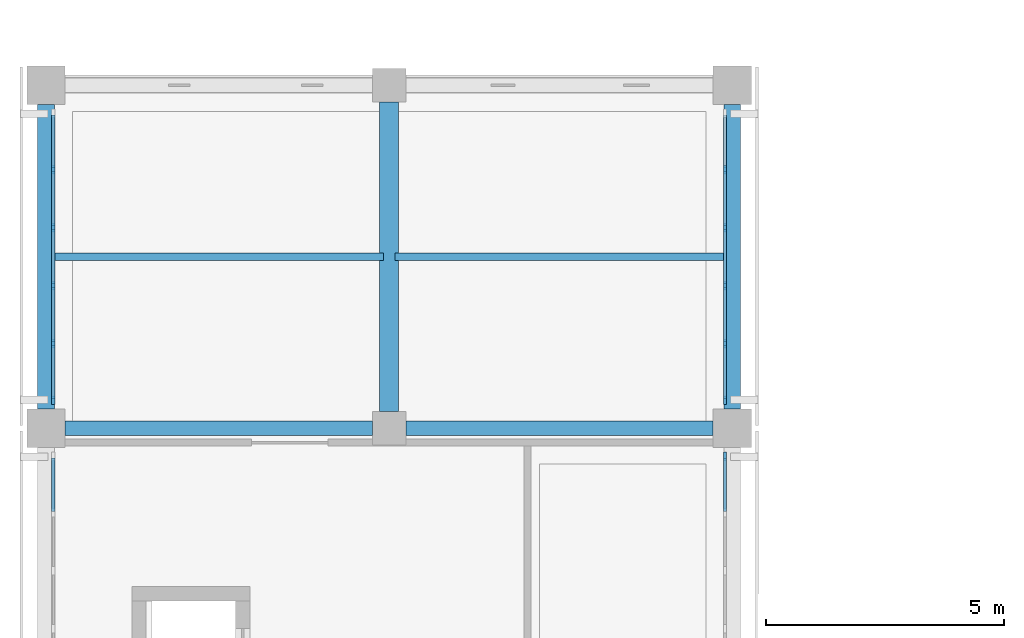
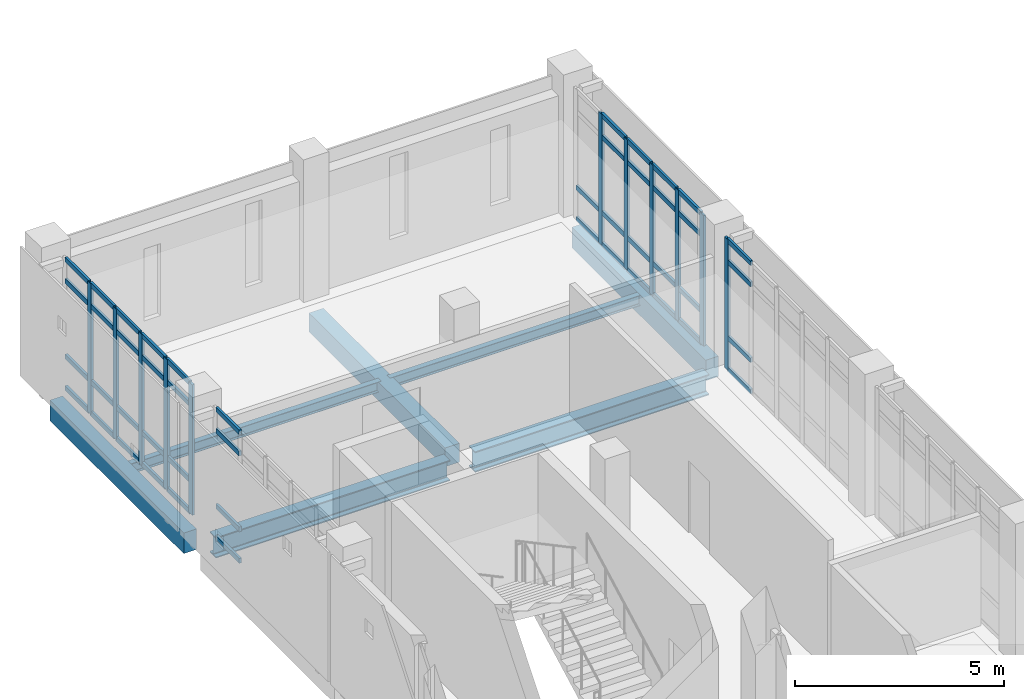
# One storey, part 10 of 33: 57 members, 7 beams, 4 elements without a shape of their own.
"""IFC4 building model written with IfcOpenShell, lengths in metres."""

from ifc_helpers import new_model, si_unit, direction, frame, origin, origin_2d, place, context, subcontext, project, spatial, rectangle, i_section, extrude, material, layer, layer_set, material_profile, profile_set, type_object, element, aggregate, save


model = new_model("IFC4")

# Units and contexts
model_context = context("Model", 3, precision=1e-05, world=origin(), true_north=direction((0.0, 1.0)))
body_context = subcontext(model_context, "Body", "Model", "MODEL_VIEW")
ifc_project = project(units=[si_unit("LENGTHUNIT", "METRE"), si_unit("AREAUNIT", "SQUARE_METRE"), si_unit("VOLUMEUNIT", "CUBIC_METRE"), si_unit("PLANEANGLEUNIT", "RADIAN"), si_unit("MASSUNIT", "GRAM", prefix="KILO")], contexts=[model_context])

# Site, building, storey
site_placement = place(None, origin())
site = spatial("IfcSite", under=ifc_project, at=site_placement, CompositionType="ELEMENT")
building_placement = place(site_placement, origin())
building = spatial("IfcBuilding", under=site, at=building_placement, Name="Valkovuoma Quantum and Materials Research Institute", CompositionType="ELEMENT")
storey_placement = place(building_placement, frame((0.0, 0.0, 21.43994140625)))
storey = spatial("IfcBuildingStorey", under=building, at=storey_placement, Name="L05", CompositionType="ELEMENT", Elevation=21.43994140625)

# Beams
ifc_material_1 = material(Name="Steel S355J2", Category="steel")
ifc_material_profile_1 = material_profile(ifc_material_1, i_section(OverallWidth=0.300048828125, OverallDepth=0.60009765625, WebThickness=0.015380859375, FlangeThickness=0.030029296875, FilletRadius=0.027099609375, at=origin_2d()), Name="Steel S355J2")
ifc_profile_set_1 = profile_set([ifc_material_profile_1], Name="Steel S355J2")
beam_type_1 = type_object("IfcBeamType", Name="Beam-B-HEB600", PredefinedType="BEAM", material=ifc_profile_set_1)
beam_1_placement = place(storey_placement, frame((0.39990234375, 86.39990234375, -0.64990234375), z_axis=(1.0, 0.0, 0.0), x_axis=(0.0, 1.0, 0.0)))
element("IfcBeam", 1, at=beam_1_placement, inside=storey, type_object=beam_type_1, Name="L05 beam X-2154", PredefinedType="BEAM", context=body_context, shape_type="SweptSolid", body=[
    extrude(i_section(OverallWidth=0.300048828125, OverallDepth=0.60009765625, WebThickness=0.015380859375, FlangeThickness=0.030029296875, FilletRadius=0.027099609375, at=origin_2d()), origin(), (0.0, 0.0, 1.0), 6.4501953125),
])
beam_2_placement = place(storey_placement, frame((7.550048828125, 86.39990234375, -0.64990234375), z_axis=(1.0, 0.0, 0.0), x_axis=(0.0, 1.0, 0.0)))
element("IfcBeam", 2, at=beam_2_placement, inside=storey, type_object=beam_type_1, Name="L05 beam X-2155", PredefinedType="BEAM", context=body_context, shape_type="SweptSolid", body=[
    extrude(i_section(OverallWidth=0.300048828125, OverallDepth=0.60009765625, WebThickness=0.015380859375, FlangeThickness=0.030029296875, FilletRadius=0.027099609375, at=origin_2d()), origin(), (0.0, 0.0, 1.0), 6.449951171875),
])
ifc_material_2 = material(Name="Steel S355J2", Category="steel")
ifc_material_profile_2 = material_profile(ifc_material_2, i_section(OverallWidth=0.14990234375, OverallDepth=0.300048828125, WebThickness=0.007080078125, FlangeThickness=0.0107421875, FilletRadius=0.014892578125, at=origin_2d()), Name="Steel S355J2")
ifc_profile_set_2 = profile_set([ifc_material_profile_2], Name="Steel S355J2")
beam_type_2 = type_object("IfcBeamType", Name="Beam-B-JST300", PredefinedType="JOIST", material=ifc_profile_set_2)
for number, where, z_axis, x_axis, name in (
    (3, (0.1201171875, 90.0, -0.5), (1.0, 0.0, 0.0), (0.0, 1.0, 0.0), "L05 floor joist 2302"),
    (4, (7.320068359375, 90.0, -0.5), (1.0, 0.0, 0.0), (0.0, 1.0, 0.0), "L05 floor joist 2303"),
):
    element("IfcBeam", number, at=place(storey_placement, frame(where, z_axis=z_axis, x_axis=x_axis)), inside=storey, type_object=beam_type_2, Name=name, PredefinedType="JOIST", context=body_context, shape_type="SweptSolid", body=[
        extrude(i_section(OverallWidth=0.14990234375, OverallDepth=0.300048828125, WebThickness=0.007080078125, FlangeThickness=0.0107421875, FilletRadius=0.014892578125, at=origin_2d()), origin(), (0.0, 0.0, 1.0), 6.9599609375),
    ])
ifc_material_3 = material(Name="Concrete C40/50", Category="concrete")
ifc_material_profile_3 = material_profile(ifc_material_3, rectangle(XDim=0.39990234375, YDim=0.550048828125, at=origin_2d()), Name="Concrete C40/50")
ifc_profile_set_3 = profile_set([ifc_material_profile_3], Name="Concrete C40/50")
beam_type_3 = type_object("IfcBeamType", Name="Beam-B-RC550", PredefinedType="BEAM", material=ifc_profile_set_3)
beam_3_placement = place(storey_placement, frame((7.199951171875, 86.75, -0.625), z_axis=(0.0, 1.0, 0.0), x_axis=(-1.0, 0.0, 0.0)))
element("IfcBeam", 5, at=beam_3_placement, inside=storey, type_object=beam_type_3, Name="L05 beam Y-2190", PredefinedType="BEAM", context=body_context, shape_type="SweptSolid", body=[
    extrude(rectangle(XDim=0.39990234375, YDim=0.550048828125, at=origin_2d()), origin(), (0.0, 0.0, 1.0), 6.5),
])
ifc_material_4 = material(Name="Concrete C40/50", Category="concrete")
ifc_material_profile_4 = material_profile(ifc_material_4, rectangle(XDim=0.35009765625, YDim=0.60009765625, at=origin_2d()), Name="Concrete C40/50")
ifc_profile_set_4 = profile_set([ifc_material_profile_4], Name="Concrete C40/50")
beam_type_4 = type_object("IfcBeamType", Name="Beam-B-SPN600", PredefinedType="SPANDREL", material=ifc_profile_set_4)
for number, where, z_axis, x_axis, name in (
    (6, (0.0, 86.800048828125, -0.64990234375), (0.0, 1.0, 0.0), (-1.0, 0.0, 0.0), "L05 beam Y-2187"),
    (7, (14.39990234375, 86.800048828125, -0.64990234375), (0.0, 1.0, 0.0), (-1.0, 0.0, 0.0), "L05 beam Y-2195"),
):
    element("IfcBeam", number, at=place(storey_placement, frame(where, z_axis=z_axis, x_axis=x_axis)), inside=storey, type_object=beam_type_4, Name=name, PredefinedType="SPANDREL", context=body_context, shape_type="SweptSolid", body=[
        extrude(rectangle(XDim=0.35009765625, YDim=0.60009765625, at=origin_2d()), origin(), (0.0, 0.0, 1.0), 6.39990234375),
    ])

# Curtain wall, member
ifc_material_5 = material(Name="Thermally broken aluminium and triple low-E glazing", Category="aluminium")
ifc_layer = layer(ifc_material_5, 0.219970703125)
ifc_layer_set = layer_set([ifc_layer], Name="Thermally broken aluminium and triple low-E glazing")
curtain_wall_type = type_object("IfcCurtainWallType", Name="CW-CW-01", PredefinedType="NOTDEFINED", material=ifc_layer_set)
curtain_wall_1_placement = place(storey_placement, origin())
curtain_wall_1 = element("IfcCurtainWall", 8, at=curtain_wall_1_placement, inside=storey, type_object=curtain_wall_type, Name="L05 curtain wall 070", PredefinedType="NOTDEFINED")
ifc_material_6 = material(Name="Anodised aluminium 6060-T66", Category="aluminium")
ifc_material_profile_5 = material_profile(ifc_material_6, rectangle(XDim=0.06494140625, YDim=0.179931640625, at=origin_2d()), Name="Anodised aluminium 6060-T66")
ifc_profile_set_5 = profile_set([ifc_material_profile_5], Name="Anodised aluminium 6060-T66")
member_type_1 = type_object("IfcMemberType", Name="CWMull-CWM-01", PredefinedType="MULLION", material=ifc_profile_set_5)
member_1_placement = place(storey_placement, frame((14.25, 85.810302734375, 0.0), z_axis=(0.0, 0.0, 1.0), x_axis=(-1.0, 0.0, 0.0)))
member_1 = element("IfcMember", 9, at=member_1_placement, type_object=member_type_1, Name="CW-01 mullion 6", PredefinedType="MULLION", context=body_context, shape_type="SweptSolid", body=[
    extrude(rectangle(XDim=0.06494140625, YDim=0.179931640625, at=origin_2d()), origin(), (0.0, 0.0, 1.0), 3.81005859375),
])

# Curtain wall, members
curtain_wall_2_placement = place(storey_placement, origin())
curtain_wall_2 = element("IfcCurtainWall", 10, at=curtain_wall_2_placement, inside=storey, type_object=curtain_wall_type, Name="L05 curtain wall 071", PredefinedType="NOTDEFINED")
member_2_placement = place(storey_placement, frame((0.14990234375, 86.989501953125, 0.0), z_axis=(0.0, 0.0, 1.0), x_axis=(-1.0, 0.0, 0.0)))
member_2 = element("IfcMember", 11, at=member_2_placement, type_object=member_type_1, Name="CW-01 mullion 1", PredefinedType="MULLION", context=body_context, shape_type="SweptSolid", body=[
    extrude(rectangle(XDim=0.06494140625, YDim=0.179931640625, at=origin_2d()), origin(), (0.0, 0.0, 1.0), 3.81005859375),
])
member_3_placement = place(storey_placement, frame((0.14990234375, 88.17431640625, 0.0), z_axis=(0.0, 0.0, 1.0), x_axis=(-1.0, 0.0, 0.0)))
member_3 = element("IfcMember", 12, at=member_3_placement, type_object=member_type_1, Name="CW-01 mullion 2", PredefinedType="MULLION", context=body_context, shape_type="SweptSolid", body=[
    extrude(rectangle(XDim=0.06494140625, YDim=0.179931640625, at=origin_2d()), origin(), (0.0, 0.0, 1.0), 3.81005859375),
])
member_4_placement = place(storey_placement, frame((0.14990234375, 89.391357421875, 0.0), z_axis=(0.0, 0.0, 1.0), x_axis=(-1.0, 0.0, 0.0)))
member_4 = element("IfcMember", 13, at=member_4_placement, type_object=member_type_1, Name="CW-01 mullion 3", PredefinedType="MULLION", context=body_context, shape_type="SweptSolid", body=[
    extrude(rectangle(XDim=0.06494140625, YDim=0.179931640625, at=origin_2d()), origin(), (0.0, 0.0, 1.0), 3.81005859375),
])
member_5_placement = place(storey_placement, frame((0.14990234375, 90.608642578125, 0.0), z_axis=(0.0, 0.0, 1.0), x_axis=(-1.0, 0.0, 0.0)))
member_5 = element("IfcMember", 14, at=member_5_placement, type_object=member_type_1, Name="CW-01 mullion 4", PredefinedType="MULLION", context=body_context, shape_type="SweptSolid", body=[
    extrude(rectangle(XDim=0.06494140625, YDim=0.179931640625, at=origin_2d()), origin(), (0.0, 0.0, 1.0), 3.81005859375),
])
member_6_placement = place(storey_placement, frame((0.14990234375, 91.82568359375, 0.0), z_axis=(0.0, 0.0, 1.0), x_axis=(-1.0, 0.0, 0.0)))
member_6 = element("IfcMember", 15, at=member_6_placement, type_object=member_type_1, Name="CW-01 mullion 5", PredefinedType="MULLION", context=body_context, shape_type="SweptSolid", body=[
    extrude(rectangle(XDim=0.06494140625, YDim=0.179931640625, at=origin_2d()), origin(), (0.0, 0.0, 1.0), 3.81005859375),
])

curtain_wall_3_placement = place(storey_placement, origin())
curtain_wall_3 = element("IfcCurtainWall", 16, at=curtain_wall_3_placement, inside=storey, type_object=curtain_wall_type, Name="L05 curtain wall 072", PredefinedType="NOTDEFINED")
member_7_placement = place(storey_placement, frame((14.25, 86.989501953125, 0.0), z_axis=(0.0, 0.0, 1.0), x_axis=(-1.0, 0.0, 0.0)))
member_7 = element("IfcMember", 17, at=member_7_placement, type_object=member_type_1, Name="CW-01 mullion 1", PredefinedType="MULLION", context=body_context, shape_type="SweptSolid", body=[
    extrude(rectangle(XDim=0.06494140625, YDim=0.179931640625, at=origin_2d()), origin(), (0.0, 0.0, 1.0), 3.81005859375),
])
member_8_placement = place(storey_placement, frame((14.25, 88.17431640625, 0.0), z_axis=(0.0, 0.0, 1.0), x_axis=(-1.0, 0.0, 0.0)))
member_8 = element("IfcMember", 18, at=member_8_placement, type_object=member_type_1, Name="CW-01 mullion 2", PredefinedType="MULLION", context=body_context, shape_type="SweptSolid", body=[
    extrude(rectangle(XDim=0.06494140625, YDim=0.179931640625, at=origin_2d()), origin(), (0.0, 0.0, 1.0), 3.81005859375),
])
member_9_placement = place(storey_placement, frame((14.25, 89.391357421875, 0.0), z_axis=(0.0, 0.0, 1.0), x_axis=(-1.0, 0.0, 0.0)))
member_9 = element("IfcMember", 19, at=member_9_placement, type_object=member_type_1, Name="CW-01 mullion 3", PredefinedType="MULLION", context=body_context, shape_type="SweptSolid", body=[
    extrude(rectangle(XDim=0.06494140625, YDim=0.179931640625, at=origin_2d()), origin(), (0.0, 0.0, 1.0), 3.81005859375),
])
member_10_placement = place(storey_placement, frame((14.25, 90.608642578125, 0.0), z_axis=(0.0, 0.0, 1.0), x_axis=(-1.0, 0.0, 0.0)))
member_10 = element("IfcMember", 20, at=member_10_placement, type_object=member_type_1, Name="CW-01 mullion 4", PredefinedType="MULLION", context=body_context, shape_type="SweptSolid", body=[
    extrude(rectangle(XDim=0.06494140625, YDim=0.179931640625, at=origin_2d()), origin(), (0.0, 0.0, 1.0), 3.81005859375),
])
member_11_placement = place(storey_placement, frame((14.25, 91.82568359375, 0.0), z_axis=(0.0, 0.0, 1.0), x_axis=(-1.0, 0.0, 0.0)))
member_11 = element("IfcMember", 21, at=member_11_placement, type_object=member_type_1, Name="CW-01 mullion 5", PredefinedType="MULLION", context=body_context, shape_type="SweptSolid", body=[
    extrude(rectangle(XDim=0.06494140625, YDim=0.179931640625, at=origin_2d()), origin(), (0.0, 0.0, 1.0), 3.81005859375),
])

curtain_wall_4_placement = place(storey_placement, origin())
curtain_wall_4 = element("IfcCurtainWall", 22, at=curtain_wall_4_placement, inside=storey, type_object=curtain_wall_type, Name="L05 curtain wall 069", PredefinedType="NOTDEFINED")
ifc_material_7 = material(Name="Anodised aluminium 6060-T66", Category="aluminium")
ifc_material_profile_6 = material_profile(ifc_material_7, rectangle(XDim=0.06494140625, YDim=0.139892578125, at=origin_2d()), Name="Anodised aluminium 6060-T66")
ifc_profile_set_6 = profile_set([ifc_material_profile_6], Name="Anodised aluminium 6060-T66")
member_type_2 = type_object("IfcMemberType", Name="CWTran-CWT-01", PredefinedType="USERDEFINED", material=ifc_profile_set_6)
member_12_placement = place(storey_placement, frame((0.14990234375, 84.658203125, 0.032470703125), z_axis=(0.0, 1.0, 0.0), x_axis=(-1.0, 0.0, 0.0)))
member_12 = element("IfcMember", 23, at=member_12_placement, type_object=member_type_2, Name="CW-01 transom 5.1", ObjectType="TRANSOM", PredefinedType="USERDEFINED", context=body_context, shape_type="SweptSolid", body=[
    extrude(rectangle(XDim=0.06494140625, YDim=0.139892578125, at=origin_2d()), origin(), (0.0, 0.0, 1.0), 1.11962890625),
])
member_13_placement = place(storey_placement, frame((0.14990234375, 84.658203125, 0.949951171875), z_axis=(0.0, 1.0, 0.0), x_axis=(-1.0, 0.0, 0.0)))
member_13 = element("IfcMember", 24, at=member_13_placement, type_object=member_type_2, Name="CW-01 transom 5.2", ObjectType="TRANSOM", PredefinedType="USERDEFINED", context=body_context, shape_type="SweptSolid", body=[
    extrude(rectangle(XDim=0.06494140625, YDim=0.139892578125, at=origin_2d()), origin(), (0.0, 0.0, 1.0), 1.11962890625),
])
member_14_placement = place(storey_placement, frame((0.14990234375, 84.658203125, 3.16015625), z_axis=(0.0, 1.0, 0.0), x_axis=(-1.0, 0.0, 0.0)))
member_14 = element("IfcMember", 25, at=member_14_placement, type_object=member_type_2, Name="CW-01 transom 5.3", ObjectType="TRANSOM", PredefinedType="USERDEFINED", context=body_context, shape_type="SweptSolid", body=[
    extrude(rectangle(XDim=0.06494140625, YDim=0.139892578125, at=origin_2d()), origin(), (0.0, 0.0, 1.0), 1.11962890625),
])
member_15_placement = place(storey_placement, frame((0.14990234375, 84.658203125, 3.777587890625), z_axis=(0.0, 1.0, 0.0), x_axis=(-1.0, 0.0, 0.0)))
member_15 = element("IfcMember", 26, at=member_15_placement, type_object=member_type_2, Name="CW-01 transom 5.4", ObjectType="TRANSOM", PredefinedType="USERDEFINED", context=body_context, shape_type="SweptSolid", body=[
    extrude(rectangle(XDim=0.06494140625, YDim=0.139892578125, at=origin_2d()), origin(), (0.0, 0.0, 1.0), 1.11962890625),
])
aggregate(curtain_wall_4, [member_12, member_13, member_14, member_15])

# Member
member_16_placement = place(storey_placement, frame((14.25, 84.658203125, 0.032470703125), z_axis=(0.0, 1.0, 0.0), x_axis=(-1.0, 0.0, 0.0)))
member_16 = element("IfcMember", 27, at=member_16_placement, type_object=member_type_2, Name="CW-01 transom 5.1", ObjectType="TRANSOM", PredefinedType="USERDEFINED", context=body_context, shape_type="SweptSolid", body=[
    extrude(rectangle(XDim=0.06494140625, YDim=0.139892578125, at=origin_2d()), origin(), (0.0, 0.0, 1.0), 1.11962890625),
])

member_17_placement = place(storey_placement, frame((14.25, 84.658203125, 0.949951171875), z_axis=(0.0, 1.0, 0.0), x_axis=(-1.0, 0.0, 0.0)))
member_17 = element("IfcMember", 28, at=member_17_placement, type_object=member_type_2, Name="CW-01 transom 5.2", ObjectType="TRANSOM", PredefinedType="USERDEFINED", context=body_context, shape_type="SweptSolid", body=[
    extrude(rectangle(XDim=0.06494140625, YDim=0.139892578125, at=origin_2d()), origin(), (0.0, 0.0, 1.0), 1.11962890625),
])

member_18_placement = place(storey_placement, frame((14.25, 84.658203125, 3.16015625), z_axis=(0.0, 1.0, 0.0), x_axis=(-1.0, 0.0, 0.0)))
member_18 = element("IfcMember", 29, at=member_18_placement, type_object=member_type_2, Name="CW-01 transom 5.3", ObjectType="TRANSOM", PredefinedType="USERDEFINED", context=body_context, shape_type="SweptSolid", body=[
    extrude(rectangle(XDim=0.06494140625, YDim=0.139892578125, at=origin_2d()), origin(), (0.0, 0.0, 1.0), 1.11962890625),
])

member_19_placement = place(storey_placement, frame((14.25, 84.658203125, 3.777587890625), z_axis=(0.0, 1.0, 0.0), x_axis=(-1.0, 0.0, 0.0)))
member_19 = element("IfcMember", 30, at=member_19_placement, type_object=member_type_2, Name="CW-01 transom 5.4", ObjectType="TRANSOM", PredefinedType="USERDEFINED", context=body_context, shape_type="SweptSolid", body=[
    extrude(rectangle(XDim=0.06494140625, YDim=0.139892578125, at=origin_2d()), origin(), (0.0, 0.0, 1.0), 1.11962890625),
])

aggregate(curtain_wall_1, [member_1, member_16, member_17, member_18, member_19])

member_20_placement = place(storey_placement, frame((0.14990234375, 87.022216796875, 0.032470703125), z_axis=(0.0, 1.0, 0.0), x_axis=(-1.0, 0.0, 0.0)))
member_20 = element("IfcMember", 31, at=member_20_placement, type_object=member_type_2, Name="CW-01 transom 1.1", ObjectType="TRANSOM", PredefinedType="USERDEFINED", context=body_context, shape_type="SweptSolid", body=[
    extrude(rectangle(XDim=0.06494140625, YDim=0.139892578125, at=origin_2d()), origin(), (0.0, 0.0, 1.0), 1.11962890625),
])

member_21_placement = place(storey_placement, frame((0.14990234375, 87.022216796875, 0.949951171875), z_axis=(0.0, 1.0, 0.0), x_axis=(-1.0, 0.0, 0.0)))
member_21 = element("IfcMember", 32, at=member_21_placement, type_object=member_type_2, Name="CW-01 transom 1.2", ObjectType="TRANSOM", PredefinedType="USERDEFINED", context=body_context, shape_type="SweptSolid", body=[
    extrude(rectangle(XDim=0.06494140625, YDim=0.139892578125, at=origin_2d()), origin(), (0.0, 0.0, 1.0), 1.11962890625),
])

member_22_placement = place(storey_placement, frame((0.14990234375, 87.022216796875, 3.16015625), z_axis=(0.0, 1.0, 0.0), x_axis=(-1.0, 0.0, 0.0)))
member_22 = element("IfcMember", 33, at=member_22_placement, type_object=member_type_2, Name="CW-01 transom 1.3", ObjectType="TRANSOM", PredefinedType="USERDEFINED", context=body_context, shape_type="SweptSolid", body=[
    extrude(rectangle(XDim=0.06494140625, YDim=0.139892578125, at=origin_2d()), origin(), (0.0, 0.0, 1.0), 1.11962890625),
])

member_23_placement = place(storey_placement, frame((0.14990234375, 87.022216796875, 3.777587890625), z_axis=(0.0, 1.0, 0.0), x_axis=(-1.0, 0.0, 0.0)))
member_23 = element("IfcMember", 34, at=member_23_placement, type_object=member_type_2, Name="CW-01 transom 1.4", ObjectType="TRANSOM", PredefinedType="USERDEFINED", context=body_context, shape_type="SweptSolid", body=[
    extrude(rectangle(XDim=0.06494140625, YDim=0.139892578125, at=origin_2d()), origin(), (0.0, 0.0, 1.0), 1.11962890625),
])

member_24_placement = place(storey_placement, frame((0.14990234375, 88.206787109375, 0.032470703125), z_axis=(0.0, 1.0, 0.0), x_axis=(-1.0, 0.0, 0.0)))
member_24 = element("IfcMember", 35, at=member_24_placement, type_object=member_type_2, Name="CW-01 transom 2.1", ObjectType="TRANSOM", PredefinedType="USERDEFINED", context=body_context, shape_type="SweptSolid", body=[
    extrude(rectangle(XDim=0.06494140625, YDim=0.139892578125, at=origin_2d()), origin(), (0.0, 0.0, 1.0), 1.152099609375),
])

member_25_placement = place(storey_placement, frame((0.14990234375, 88.206787109375, 0.949951171875), z_axis=(0.0, 1.0, 0.0), x_axis=(-1.0, 0.0, 0.0)))
member_25 = element("IfcMember", 36, at=member_25_placement, type_object=member_type_2, Name="CW-01 transom 2.2", ObjectType="TRANSOM", PredefinedType="USERDEFINED", context=body_context, shape_type="SweptSolid", body=[
    extrude(rectangle(XDim=0.06494140625, YDim=0.139892578125, at=origin_2d()), origin(), (0.0, 0.0, 1.0), 1.152099609375),
])

member_26_placement = place(storey_placement, frame((0.14990234375, 88.206787109375, 3.16015625), z_axis=(0.0, 1.0, 0.0), x_axis=(-1.0, 0.0, 0.0)))
member_26 = element("IfcMember", 37, at=member_26_placement, type_object=member_type_2, Name="CW-01 transom 2.3", ObjectType="TRANSOM", PredefinedType="USERDEFINED", context=body_context, shape_type="SweptSolid", body=[
    extrude(rectangle(XDim=0.06494140625, YDim=0.139892578125, at=origin_2d()), origin(), (0.0, 0.0, 1.0), 1.152099609375),
])

member_27_placement = place(storey_placement, frame((0.14990234375, 88.206787109375, 3.777587890625), z_axis=(0.0, 1.0, 0.0), x_axis=(-1.0, 0.0, 0.0)))
member_27 = element("IfcMember", 38, at=member_27_placement, type_object=member_type_2, Name="CW-01 transom 2.4", ObjectType="TRANSOM", PredefinedType="USERDEFINED", context=body_context, shape_type="SweptSolid", body=[
    extrude(rectangle(XDim=0.06494140625, YDim=0.139892578125, at=origin_2d()), origin(), (0.0, 0.0, 1.0), 1.152099609375),
])

member_28_placement = place(storey_placement, frame((0.14990234375, 89.423828125, 0.032470703125), z_axis=(0.0, 1.0, 0.0), x_axis=(-1.0, 0.0, 0.0)))
member_28 = element("IfcMember", 39, at=member_28_placement, type_object=member_type_2, Name="CW-01 transom 3.1", ObjectType="TRANSOM", PredefinedType="USERDEFINED", context=body_context, shape_type="SweptSolid", body=[
    extrude(rectangle(XDim=0.06494140625, YDim=0.139892578125, at=origin_2d()), origin(), (0.0, 0.0, 1.0), 1.15234375),
])

member_29_placement = place(storey_placement, frame((0.14990234375, 89.423828125, 0.949951171875), z_axis=(0.0, 1.0, 0.0), x_axis=(-1.0, 0.0, 0.0)))
member_29 = element("IfcMember", 40, at=member_29_placement, type_object=member_type_2, Name="CW-01 transom 3.2", ObjectType="TRANSOM", PredefinedType="USERDEFINED", context=body_context, shape_type="SweptSolid", body=[
    extrude(rectangle(XDim=0.06494140625, YDim=0.139892578125, at=origin_2d()), origin(), (0.0, 0.0, 1.0), 1.15234375),
])

member_30_placement = place(storey_placement, frame((0.14990234375, 89.423828125, 3.16015625), z_axis=(0.0, 1.0, 0.0), x_axis=(-1.0, 0.0, 0.0)))
member_30 = element("IfcMember", 41, at=member_30_placement, type_object=member_type_2, Name="CW-01 transom 3.3", ObjectType="TRANSOM", PredefinedType="USERDEFINED", context=body_context, shape_type="SweptSolid", body=[
    extrude(rectangle(XDim=0.06494140625, YDim=0.139892578125, at=origin_2d()), origin(), (0.0, 0.0, 1.0), 1.15234375),
])

member_31_placement = place(storey_placement, frame((0.14990234375, 89.423828125, 3.777587890625), z_axis=(0.0, 1.0, 0.0), x_axis=(-1.0, 0.0, 0.0)))
member_31 = element("IfcMember", 42, at=member_31_placement, type_object=member_type_2, Name="CW-01 transom 3.4", ObjectType="TRANSOM", PredefinedType="USERDEFINED", context=body_context, shape_type="SweptSolid", body=[
    extrude(rectangle(XDim=0.06494140625, YDim=0.139892578125, at=origin_2d()), origin(), (0.0, 0.0, 1.0), 1.15234375),
])

member_32_placement = place(storey_placement, frame((0.14990234375, 90.64111328125, 0.032470703125), z_axis=(0.0, 1.0, 0.0), x_axis=(-1.0, 0.0, 0.0)))
member_32 = element("IfcMember", 43, at=member_32_placement, type_object=member_type_2, Name="CW-01 transom 4.1", ObjectType="TRANSOM", PredefinedType="USERDEFINED", context=body_context, shape_type="SweptSolid", body=[
    extrude(rectangle(XDim=0.06494140625, YDim=0.139892578125, at=origin_2d()), origin(), (0.0, 0.0, 1.0), 1.152099609375),
])

member_33_placement = place(storey_placement, frame((0.14990234375, 90.64111328125, 0.949951171875), z_axis=(0.0, 1.0, 0.0), x_axis=(-1.0, 0.0, 0.0)))
member_33 = element("IfcMember", 44, at=member_33_placement, type_object=member_type_2, Name="CW-01 transom 4.2", ObjectType="TRANSOM", PredefinedType="USERDEFINED", context=body_context, shape_type="SweptSolid", body=[
    extrude(rectangle(XDim=0.06494140625, YDim=0.139892578125, at=origin_2d()), origin(), (0.0, 0.0, 1.0), 1.152099609375),
])

member_34_placement = place(storey_placement, frame((0.14990234375, 90.64111328125, 3.16015625), z_axis=(0.0, 1.0, 0.0), x_axis=(-1.0, 0.0, 0.0)))
member_34 = element("IfcMember", 45, at=member_34_placement, type_object=member_type_2, Name="CW-01 transom 4.3", ObjectType="TRANSOM", PredefinedType="USERDEFINED", context=body_context, shape_type="SweptSolid", body=[
    extrude(rectangle(XDim=0.06494140625, YDim=0.139892578125, at=origin_2d()), origin(), (0.0, 0.0, 1.0), 1.152099609375),
])

member_35_placement = place(storey_placement, frame((0.14990234375, 90.64111328125, 3.777587890625), z_axis=(0.0, 1.0, 0.0), x_axis=(-1.0, 0.0, 0.0)))
member_35 = element("IfcMember", 46, at=member_35_placement, type_object=member_type_2, Name="CW-01 transom 4.4", ObjectType="TRANSOM", PredefinedType="USERDEFINED", context=body_context, shape_type="SweptSolid", body=[
    extrude(rectangle(XDim=0.06494140625, YDim=0.139892578125, at=origin_2d()), origin(), (0.0, 0.0, 1.0), 1.152099609375),
])

member_36_placement = place(storey_placement, frame((0.14990234375, 91.858154296875, 0.032470703125), z_axis=(0.0, 1.0, 0.0), x_axis=(-1.0, 0.0, 0.0)))
member_36 = element("IfcMember", 47, at=member_36_placement, type_object=member_type_2, Name="CW-01 transom 5.1", ObjectType="TRANSOM", PredefinedType="USERDEFINED", context=body_context, shape_type="SweptSolid", body=[
    extrude(rectangle(XDim=0.06494140625, YDim=0.139892578125, at=origin_2d()), origin(), (0.0, 0.0, 1.0), 1.11962890625),
])

member_37_placement = place(storey_placement, frame((0.14990234375, 91.858154296875, 0.949951171875), z_axis=(0.0, 1.0, 0.0), x_axis=(-1.0, 0.0, 0.0)))
member_37 = element("IfcMember", 48, at=member_37_placement, type_object=member_type_2, Name="CW-01 transom 5.2", ObjectType="TRANSOM", PredefinedType="USERDEFINED", context=body_context, shape_type="SweptSolid", body=[
    extrude(rectangle(XDim=0.06494140625, YDim=0.139892578125, at=origin_2d()), origin(), (0.0, 0.0, 1.0), 1.11962890625),
])

member_38_placement = place(storey_placement, frame((0.14990234375, 91.858154296875, 3.16015625), z_axis=(0.0, 1.0, 0.0), x_axis=(-1.0, 0.0, 0.0)))
member_38 = element("IfcMember", 49, at=member_38_placement, type_object=member_type_2, Name="CW-01 transom 5.3", ObjectType="TRANSOM", PredefinedType="USERDEFINED", context=body_context, shape_type="SweptSolid", body=[
    extrude(rectangle(XDim=0.06494140625, YDim=0.139892578125, at=origin_2d()), origin(), (0.0, 0.0, 1.0), 1.11962890625),
])

member_39_placement = place(storey_placement, frame((0.14990234375, 91.858154296875, 3.777587890625), z_axis=(0.0, 1.0, 0.0), x_axis=(-1.0, 0.0, 0.0)))
member_39 = element("IfcMember", 50, at=member_39_placement, type_object=member_type_2, Name="CW-01 transom 5.4", ObjectType="TRANSOM", PredefinedType="USERDEFINED", context=body_context, shape_type="SweptSolid", body=[
    extrude(rectangle(XDim=0.06494140625, YDim=0.139892578125, at=origin_2d()), origin(), (0.0, 0.0, 1.0), 1.11962890625),
])

aggregate(curtain_wall_2, [member_2, member_3, member_4, member_5, member_6, member_20, member_21, member_22, member_23, member_24, member_25, member_26, member_27, member_28, member_29, member_30, member_31, member_32, member_33, member_34, member_35, member_36, member_37, member_38, member_39])

member_40_placement = place(storey_placement, frame((14.25, 87.022216796875, 0.032470703125), z_axis=(0.0, 1.0, 0.0), x_axis=(-1.0, 0.0, 0.0)))
member_40 = element("IfcMember", 51, at=member_40_placement, type_object=member_type_2, Name="CW-01 transom 1.1", ObjectType="TRANSOM", PredefinedType="USERDEFINED", context=body_context, shape_type="SweptSolid", body=[
    extrude(rectangle(XDim=0.06494140625, YDim=0.139892578125, at=origin_2d()), origin(), (0.0, 0.0, 1.0), 1.11962890625),
])

member_41_placement = place(storey_placement, frame((14.25, 87.022216796875, 0.949951171875), z_axis=(0.0, 1.0, 0.0), x_axis=(-1.0, 0.0, 0.0)))
member_41 = element("IfcMember", 52, at=member_41_placement, type_object=member_type_2, Name="CW-01 transom 1.2", ObjectType="TRANSOM", PredefinedType="USERDEFINED", context=body_context, shape_type="SweptSolid", body=[
    extrude(rectangle(XDim=0.06494140625, YDim=0.139892578125, at=origin_2d()), origin(), (0.0, 0.0, 1.0), 1.11962890625),
])

member_42_placement = place(storey_placement, frame((14.25, 87.022216796875, 3.16015625), z_axis=(0.0, 1.0, 0.0), x_axis=(-1.0, 0.0, 0.0)))
member_42 = element("IfcMember", 53, at=member_42_placement, type_object=member_type_2, Name="CW-01 transom 1.3", ObjectType="TRANSOM", PredefinedType="USERDEFINED", context=body_context, shape_type="SweptSolid", body=[
    extrude(rectangle(XDim=0.06494140625, YDim=0.139892578125, at=origin_2d()), origin(), (0.0, 0.0, 1.0), 1.11962890625),
])

member_43_placement = place(storey_placement, frame((14.25, 87.022216796875, 3.777587890625), z_axis=(0.0, 1.0, 0.0), x_axis=(-1.0, 0.0, 0.0)))
member_43 = element("IfcMember", 54, at=member_43_placement, type_object=member_type_2, Name="CW-01 transom 1.4", ObjectType="TRANSOM", PredefinedType="USERDEFINED", context=body_context, shape_type="SweptSolid", body=[
    extrude(rectangle(XDim=0.06494140625, YDim=0.139892578125, at=origin_2d()), origin(), (0.0, 0.0, 1.0), 1.11962890625),
])

member_44_placement = place(storey_placement, frame((14.25, 88.206787109375, 0.032470703125), z_axis=(0.0, 1.0, 0.0), x_axis=(-1.0, 0.0, 0.0)))
member_44 = element("IfcMember", 55, at=member_44_placement, type_object=member_type_2, Name="CW-01 transom 2.1", ObjectType="TRANSOM", PredefinedType="USERDEFINED", context=body_context, shape_type="SweptSolid", body=[
    extrude(rectangle(XDim=0.06494140625, YDim=0.139892578125, at=origin_2d()), origin(), (0.0, 0.0, 1.0), 1.152099609375),
])

member_45_placement = place(storey_placement, frame((14.25, 88.206787109375, 0.949951171875), z_axis=(0.0, 1.0, 0.0), x_axis=(-1.0, 0.0, 0.0)))
member_45 = element("IfcMember", 56, at=member_45_placement, type_object=member_type_2, Name="CW-01 transom 2.2", ObjectType="TRANSOM", PredefinedType="USERDEFINED", context=body_context, shape_type="SweptSolid", body=[
    extrude(rectangle(XDim=0.06494140625, YDim=0.139892578125, at=origin_2d()), origin(), (0.0, 0.0, 1.0), 1.152099609375),
])

member_46_placement = place(storey_placement, frame((14.25, 88.206787109375, 3.16015625), z_axis=(0.0, 1.0, 0.0), x_axis=(-1.0, 0.0, 0.0)))
member_46 = element("IfcMember", 57, at=member_46_placement, type_object=member_type_2, Name="CW-01 transom 2.3", ObjectType="TRANSOM", PredefinedType="USERDEFINED", context=body_context, shape_type="SweptSolid", body=[
    extrude(rectangle(XDim=0.06494140625, YDim=0.139892578125, at=origin_2d()), origin(), (0.0, 0.0, 1.0), 1.152099609375),
])

member_47_placement = place(storey_placement, frame((14.25, 88.206787109375, 3.777587890625), z_axis=(0.0, 1.0, 0.0), x_axis=(-1.0, 0.0, 0.0)))
member_47 = element("IfcMember", 58, at=member_47_placement, type_object=member_type_2, Name="CW-01 transom 2.4", ObjectType="TRANSOM", PredefinedType="USERDEFINED", context=body_context, shape_type="SweptSolid", body=[
    extrude(rectangle(XDim=0.06494140625, YDim=0.139892578125, at=origin_2d()), origin(), (0.0, 0.0, 1.0), 1.152099609375),
])

member_48_placement = place(storey_placement, frame((14.25, 89.423828125, 0.032470703125), z_axis=(0.0, 1.0, 0.0), x_axis=(-1.0, 0.0, 0.0)))
member_48 = element("IfcMember", 59, at=member_48_placement, type_object=member_type_2, Name="CW-01 transom 3.1", ObjectType="TRANSOM", PredefinedType="USERDEFINED", context=body_context, shape_type="SweptSolid", body=[
    extrude(rectangle(XDim=0.06494140625, YDim=0.139892578125, at=origin_2d()), origin(), (0.0, 0.0, 1.0), 1.15234375),
])

member_49_placement = place(storey_placement, frame((14.25, 89.423828125, 0.949951171875), z_axis=(0.0, 1.0, 0.0), x_axis=(-1.0, 0.0, 0.0)))
member_49 = element("IfcMember", 60, at=member_49_placement, type_object=member_type_2, Name="CW-01 transom 3.2", ObjectType="TRANSOM", PredefinedType="USERDEFINED", context=body_context, shape_type="SweptSolid", body=[
    extrude(rectangle(XDim=0.06494140625, YDim=0.139892578125, at=origin_2d()), origin(), (0.0, 0.0, 1.0), 1.15234375),
])

member_50_placement = place(storey_placement, frame((14.25, 89.423828125, 3.16015625), z_axis=(0.0, 1.0, 0.0), x_axis=(-1.0, 0.0, 0.0)))
member_50 = element("IfcMember", 61, at=member_50_placement, type_object=member_type_2, Name="CW-01 transom 3.3", ObjectType="TRANSOM", PredefinedType="USERDEFINED", context=body_context, shape_type="SweptSolid", body=[
    extrude(rectangle(XDim=0.06494140625, YDim=0.139892578125, at=origin_2d()), origin(), (0.0, 0.0, 1.0), 1.15234375),
])

member_51_placement = place(storey_placement, frame((14.25, 89.423828125, 3.777587890625), z_axis=(0.0, 1.0, 0.0), x_axis=(-1.0, 0.0, 0.0)))
member_51 = element("IfcMember", 62, at=member_51_placement, type_object=member_type_2, Name="CW-01 transom 3.4", ObjectType="TRANSOM", PredefinedType="USERDEFINED", context=body_context, shape_type="SweptSolid", body=[
    extrude(rectangle(XDim=0.06494140625, YDim=0.139892578125, at=origin_2d()), origin(), (0.0, 0.0, 1.0), 1.15234375),
])

member_52_placement = place(storey_placement, frame((14.25, 90.64111328125, 0.032470703125), z_axis=(0.0, 1.0, 0.0), x_axis=(-1.0, 0.0, 0.0)))
member_52 = element("IfcMember", 63, at=member_52_placement, type_object=member_type_2, Name="CW-01 transom 4.1", ObjectType="TRANSOM", PredefinedType="USERDEFINED", context=body_context, shape_type="SweptSolid", body=[
    extrude(rectangle(XDim=0.06494140625, YDim=0.139892578125, at=origin_2d()), origin(), (0.0, 0.0, 1.0), 1.152099609375),
])

member_53_placement = place(storey_placement, frame((14.25, 90.64111328125, 0.949951171875), z_axis=(0.0, 1.0, 0.0), x_axis=(-1.0, 0.0, 0.0)))
member_53 = element("IfcMember", 64, at=member_53_placement, type_object=member_type_2, Name="CW-01 transom 4.2", ObjectType="TRANSOM", PredefinedType="USERDEFINED", context=body_context, shape_type="SweptSolid", body=[
    extrude(rectangle(XDim=0.06494140625, YDim=0.139892578125, at=origin_2d()), origin(), (0.0, 0.0, 1.0), 1.152099609375),
])

member_54_placement = place(storey_placement, frame((14.25, 90.64111328125, 3.16015625), z_axis=(0.0, 1.0, 0.0), x_axis=(-1.0, 0.0, 0.0)))
member_54 = element("IfcMember", 65, at=member_54_placement, type_object=member_type_2, Name="CW-01 transom 4.3", ObjectType="TRANSOM", PredefinedType="USERDEFINED", context=body_context, shape_type="SweptSolid", body=[
    extrude(rectangle(XDim=0.06494140625, YDim=0.139892578125, at=origin_2d()), origin(), (0.0, 0.0, 1.0), 1.152099609375),
])

member_55_placement = place(storey_placement, frame((14.25, 90.64111328125, 3.777587890625), z_axis=(0.0, 1.0, 0.0), x_axis=(-1.0, 0.0, 0.0)))
member_55 = element("IfcMember", 66, at=member_55_placement, type_object=member_type_2, Name="CW-01 transom 4.4", ObjectType="TRANSOM", PredefinedType="USERDEFINED", context=body_context, shape_type="SweptSolid", body=[
    extrude(rectangle(XDim=0.06494140625, YDim=0.139892578125, at=origin_2d()), origin(), (0.0, 0.0, 1.0), 1.152099609375),
])

member_56_placement = place(storey_placement, frame((14.25, 91.858154296875, 0.032470703125), z_axis=(0.0, 1.0, 0.0), x_axis=(-1.0, 0.0, 0.0)))
member_56 = element("IfcMember", 67, at=member_56_placement, type_object=member_type_2, Name="CW-01 transom 5.1", ObjectType="TRANSOM", PredefinedType="USERDEFINED", context=body_context, shape_type="SweptSolid", body=[
    extrude(rectangle(XDim=0.06494140625, YDim=0.139892578125, at=origin_2d()), origin(), (0.0, 0.0, 1.0), 1.11962890625),
])

member_57_placement = place(storey_placement, frame((14.25, 91.858154296875, 0.949951171875), z_axis=(0.0, 1.0, 0.0), x_axis=(-1.0, 0.0, 0.0)))
member_57 = element("IfcMember", 68, at=member_57_placement, type_object=member_type_2, Name="CW-01 transom 5.2", ObjectType="TRANSOM", PredefinedType="USERDEFINED", context=body_context, shape_type="SweptSolid", body=[
    extrude(rectangle(XDim=0.06494140625, YDim=0.139892578125, at=origin_2d()), origin(), (0.0, 0.0, 1.0), 1.11962890625),
])

aggregate(curtain_wall_3, [member_7, member_8, member_9, member_10, member_11, member_40, member_41, member_42, member_43, member_44, member_45, member_46, member_47, member_48, member_49, member_50, member_51, member_52, member_53, member_54, member_55, member_56, member_57])

save(model, "model.ifc")
